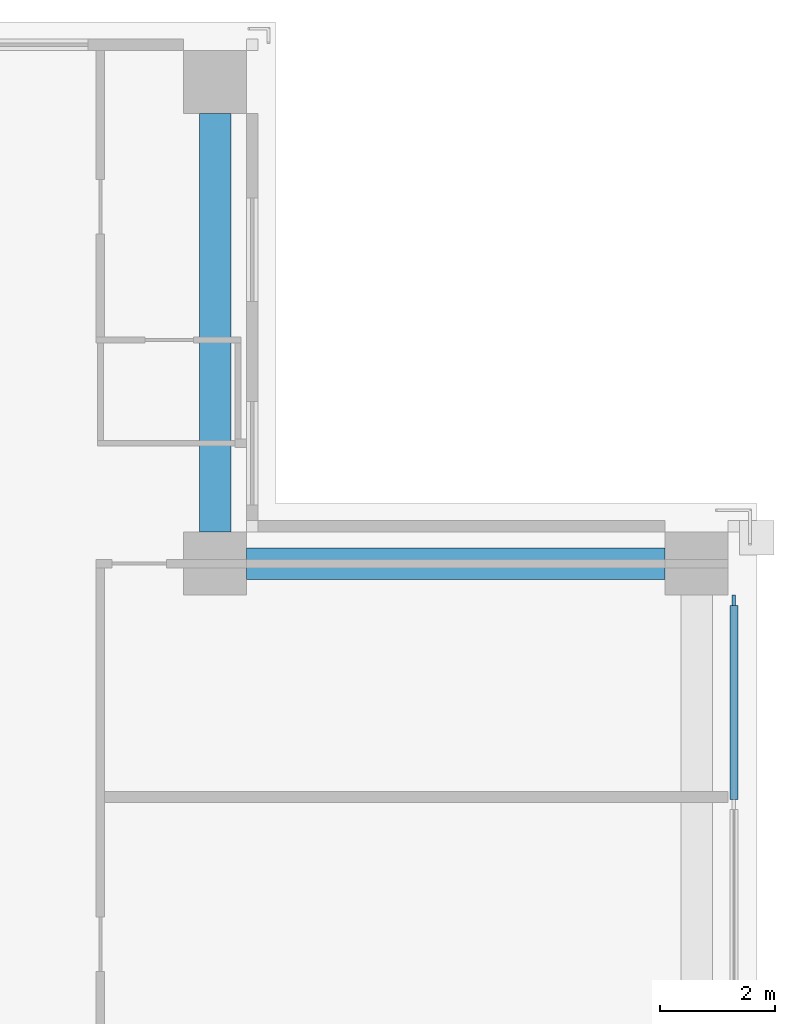
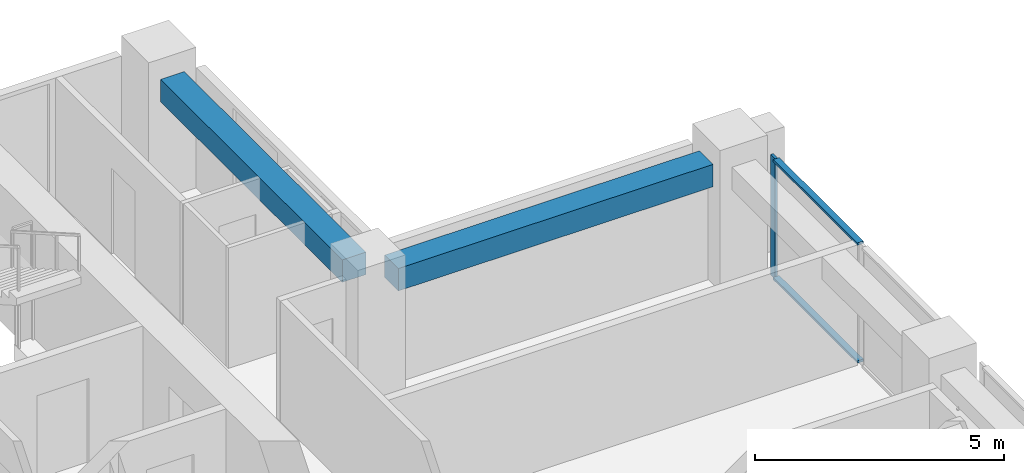
# One storey, part 7 of 16: 3 members, 2 beams, 1 element without a shape of its own.
"""IFC4 building model written with IfcOpenShell, lengths in metres."""

from ifc_helpers import new_model, si_unit, direction, frame, origin, origin_2d, place, context, subcontext, project, spatial, rectangle, extrude, material, material_profile, profile_set, type_object, element, aggregate, save


model = new_model("IFC4")

# Units and contexts
model_context = context("Model", 3, precision=1e-05, world=origin(), true_north=direction((0.0, 1.0)))
body_context = subcontext(model_context, "Body", "Model", "MODEL_VIEW")
ifc_project = project(units=[si_unit("LENGTHUNIT", "METRE"), si_unit("AREAUNIT", "SQUARE_METRE"), si_unit("VOLUMEUNIT", "CUBIC_METRE"), si_unit("PLANEANGLEUNIT", "RADIAN"), si_unit("MASSUNIT", "GRAM", prefix="KILO")], contexts=[model_context])

# Site, building, storey
site_placement = place(None, origin())
site = spatial("IfcSite", under=ifc_project, at=site_placement, CompositionType="ELEMENT")
building_placement = place(site_placement, origin())
building = spatial("IfcBuilding", under=site, at=building_placement, Name="Vermilion Ogive Tower", CompositionType="ELEMENT")
storey_placement = place(building_placement, frame((0.0, 0.0, 167.60009765625)))
storey = spatial("IfcBuildingStorey", under=building, at=storey_placement, Name="L43", CompositionType="ELEMENT", Elevation=167.60009765625)

# Curtain wall, members
ifc_material_1 = material(Name="Low-iron laminated glazing in aluminium frame", Category="aluminium")
curtain_wall_type = type_object("IfcCurtainWallType", Name="Curtain wall CW7", PredefinedType="NOTDEFINED", material=ifc_material_1)
curtain_wall_placement = place(storey_placement, origin())
curtain_wall = element("IfcCurtainWall", 1, at=curtain_wall_placement, inside=storey, type_object=curtain_wall_type, Name="Glazed skin E3", PredefinedType="NOTDEFINED")
ifc_material_2 = material(Name="Aluminium mullion", Category="aluminium")
ifc_material_profile_1 = material_profile(ifc_material_2, rectangle(XDim=0.06005859375, YDim=0.179931640625, at=origin_2d()), Name="AL 60x180")
ifc_profile_set_1 = profile_set([ifc_material_profile_1], Name="Aluminium mullion")
member_type_1 = type_object("IfcMemberType", Name="CW7 mullion 60x180", PredefinedType="MULLION", material=ifc_profile_set_1)
member_1_placement = place(storey_placement, frame((21.64990234375, 11.9599609375, 0.0), z_axis=(0.0, 0.0, 1.0), x_axis=(-1.0, 0.0, 0.0)))
member_1 = element("IfcMember", 2, at=member_1_placement, type_object=member_type_1, Name="CW7-E3 mullion 3", PredefinedType="MULLION", context=body_context, shape_type="SweptSolid", body=[
    extrude(rectangle(XDim=0.06005859375, YDim=0.179931640625, at=origin_2d()), origin(), (0.0, 0.0, 1.0), 2.949951171875),
])
ifc_material_3 = material(Name="Aluminium transom", Category="aluminium")
ifc_material_profile_2 = material_profile(ifc_material_3, rectangle(XDim=0.139892578125, YDim=0.06005859375, at=origin_2d()), Name="AL 60x140")
ifc_profile_set_2 = profile_set([ifc_material_profile_2], Name="Aluminium transom")
member_type_2 = type_object("IfcMemberType", Name="CW7 transom 60x140", PredefinedType="USERDEFINED", material=ifc_profile_set_2)
member_2_placement = place(storey_placement, frame((21.64990234375, 8.489990234375, 0.02978515625), z_axis=(0.0, 1.0, 0.0), x_axis=(-1.0, 0.0, 0.0)))
member_2 = element("IfcMember", 3, at=member_2_placement, type_object=member_type_2, Name="CW7-E3 transom 2.1", ObjectType="TRANSOM", PredefinedType="USERDEFINED", context=body_context, shape_type="SweptSolid", body=[
    extrude(rectangle(XDim=0.139892578125, YDim=0.06005859375, at=origin_2d()), origin(), (0.0, 0.0, 1.0), 3.380126953125),
])
member_3_placement = place(storey_placement, frame((21.64990234375, 8.489990234375, 2.919921875), z_axis=(0.0, 1.0, 0.0), x_axis=(-1.0, 0.0, 0.0)))
member_3 = element("IfcMember", 4, at=member_3_placement, type_object=member_type_2, Name="CW7-E3 transom 2.2", ObjectType="TRANSOM", PredefinedType="USERDEFINED", context=body_context, shape_type="SweptSolid", body=[
    extrude(rectangle(XDim=0.139892578125, YDim=0.06005859375, at=origin_2d()), origin(), (0.0, 0.0, 1.0), 3.380126953125),
])
aggregate(curtain_wall, [member_1, member_2, member_3])

# Beams
ifc_material_4 = material(Name="Concrete B45", Category="concrete")
ifc_material_profile_3 = material_profile(ifc_material_4, rectangle(XDim=0.550048828125, YDim=0.550048828125, at=origin_2d()), Name="550 x 550")
ifc_profile_set_3 = profile_set([ifc_material_profile_3], Name="Concrete B45")
beam_type = type_object("IfcBeamType", Name="Edge beam 550 x 550 B45", PredefinedType="BEAM", material=ifc_profile_set_3)
for number, where, z_axis, x_axis, name in (
    (5, (20.449951171875, 12.60009765625, 2.6748046875), (-1.0, 0.0, 0.0), (0.0, -1.0, 0.0), "L43-EB-9"),
    (6, (12.60009765625, 13.14990234375, 2.6748046875), (0.0, 1.0, 0.0), (-1.0, 0.0, 0.0), "L43-EB-10"),
):
    element("IfcBeam", number, at=place(storey_placement, frame(where, z_axis=z_axis, x_axis=x_axis)), inside=storey, type_object=beam_type, Name=name, PredefinedType="BEAM", context=body_context, shape_type="SweptSolid", body=[
        extrude(rectangle(XDim=0.550048828125, YDim=0.550048828125, at=origin_2d()), origin(), (0.0, 0.0, 1.0), 7.300048828125),
    ])

save(model, "model.ifc")
